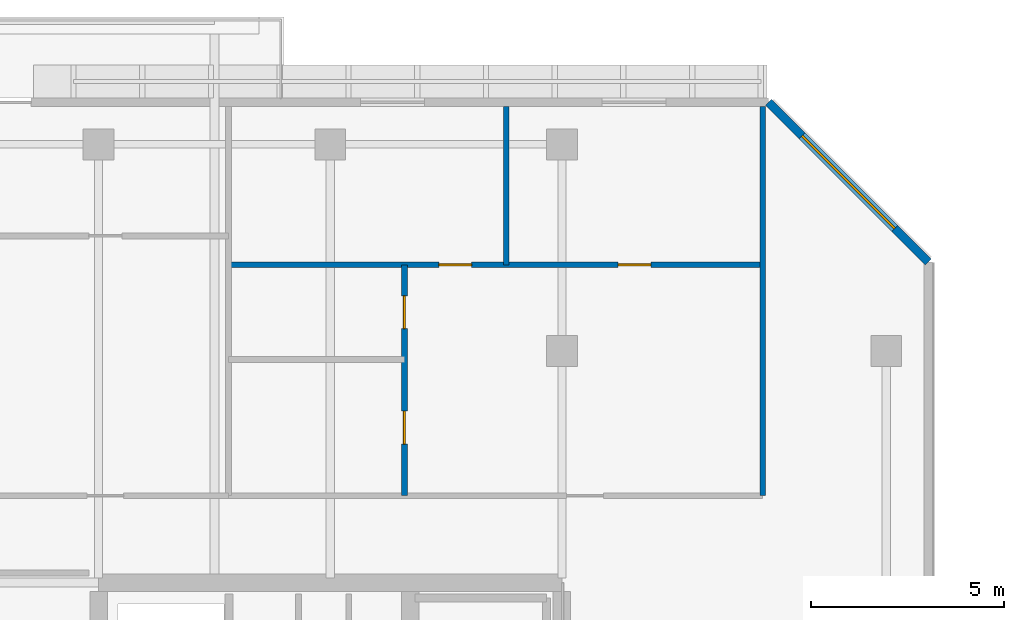
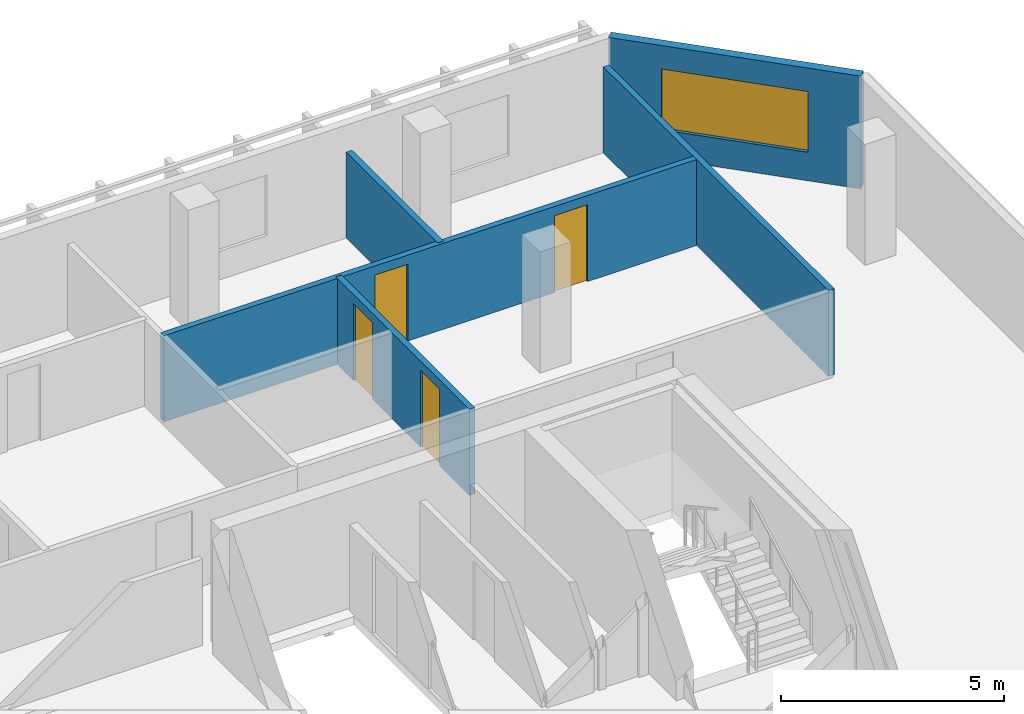
# One storey, part 15 of 22: 5 walls, 4 doors, 1 window, 5 openings.
"""IFC4 building model written with IfcOpenShell, lengths in metres."""

from ifc_helpers import new_model, si_unit, direction, frame, frame_2d, origin, place, context, subcontext, project, spatial, rectangle, extrude, material, layer, layer_set, type_object, element, fill, save


model = new_model("IFC4")

# Units and contexts
model_context = context("Model", 3, precision=1e-05, world=origin(), true_north=direction((0.0, 1.0)))
body_context = subcontext(model_context, "Body", "Model", "MODEL_VIEW")
ifc_project = project(units=[si_unit("LENGTHUNIT", "METRE"), si_unit("AREAUNIT", "SQUARE_METRE"), si_unit("VOLUMEUNIT", "CUBIC_METRE"), si_unit("PLANEANGLEUNIT", "RADIAN"), si_unit("MASSUNIT", "GRAM", prefix="KILO")], contexts=[model_context])

# Site, building, storey
site_placement = place(None, origin())
site = spatial("IfcSite", under=ifc_project, at=site_placement, CompositionType="ELEMENT")
building_placement = place(site_placement, origin())
building = spatial("IfcBuilding", under=site, at=building_placement, Name="Tanjung Sevakor Pilgrim Tower", CompositionType="ELEMENT")
storey_placement = place(building_placement, frame((0.0, 0.0, 195.030029296875)))
storey = spatial("IfcBuildingStorey", under=building, at=storey_placement, Name="L54", CompositionType="ELEMENT", Elevation=195.030029296875)

# Wall
ifc_material_1 = material(Name="Concrete C40/50", Category="concrete")
ifc_layer_1 = layer(ifc_material_1, 0.14990234375)
ifc_layer_set_1 = layer_set([ifc_layer_1], Name="WT-COMP-150")
wall_type_1 = type_object("IfcWallType", Name="WT-COMP-150", PredefinedType="SOLIDWALL", material=ifc_layer_set_1)
wall_1_placement = place(storey_placement, frame((95.199951171875, 44.85009765625, 0.0), z_axis=(0.0, 0.0, 1.0), x_axis=(0.0, 1.0, 0.0)))
element("IfcWall", 1, at=wall_1_placement, inside=storey, type_object=wall_type_1, Name="L54 Partition IW-L54-081", PredefinedType="SOLIDWALL", context=body_context, shape_type="SweptSolid", body=[
    extrude(rectangle(XDim=10.079833984375, YDim=0.14990234375, at=frame_2d((5.0400390625, 0.0))), origin(), (0.0, 0.0, 1.0), 2.35009765625),
])

# Wall, opening, window
ifc_material_2 = material(Name="Precast concrete C45/55", Category="concrete")
ifc_layer_2 = layer(ifc_material_2, 0.219970703125)
ifc_layer_set_2 = layer_set([ifc_layer_2], Name="WT-EW-STN4")
wall_type_2 = type_object("IfcWallType", Name="WT-EW-STN4", PredefinedType="SOLIDWALL", material=ifc_layer_set_2)
wall_2_placement = place(storey_placement, frame((99.489990234375, 50.904296875, 0.0), z_axis=(0.0, 0.0, 1.0), x_axis=(-0.707085909342, 0.707127652415, 0.0)))
wall_2 = element("IfcWall", 2, at=wall_2_placement, inside=storey, type_object=wall_type_2, Name="L54 MAIN Sculpted Corner Wall 7", PredefinedType="SOLIDWALL", context=body_context, shape_type="SweptSolid", body=[
    extrude(rectangle(XDim=5.8486328125, YDim=0.219970703125, at=frame_2d((2.92431640625, 0.0))), origin(), (0.0, 0.0, 1.0), 3.080078125),
])
opening_1_placement = place(wall_2_placement, frame((1.224365234375, 0.0, 0.780029296875)))
opening_1 = element("IfcOpeningElement", 3, at=opening_1_placement, cuts=wall_2, Name="Opening WN-CHM-1660", PredefinedType="OPENING", context=body_context, shape_type="SweptSolid", body=[
    extrude(rectangle(XDim=3.39990234375, YDim=1.659912109375, at=frame_2d((1.699951171875, 0.830078125))), frame((0.0, 0.119873046875, 0.0), z_axis=(0.0, -1.0, 0.0), x_axis=(1.0, 0.0, 0.0)), (0.0, 0.0, 1.0), 0.239990234375),
])
ifc_material_3 = material(Name="Thermally Broken Aluminium and Low-E Glass", Category="aluminium")
window_type = type_object("IfcWindowType", Name="WTYP-WN-CHM-1660", PartitioningType="DOUBLE_PANEL_VERTICAL", PredefinedType="WINDOW", material=ifc_material_3)
window_placement = place(opening_1_placement, origin())
window = element("IfcWindow", 4, at=window_placement, inside=storey, type_object=window_type, Name="L54 Facade Window 01", OverallHeight=1.659912109375, OverallWidth=3.39990234375, PartitioningType="SINGLE_PANEL", PredefinedType="WINDOW", context=body_context, shape_type="SweptSolid", body=[
    extrude(rectangle(XDim=3.39990234375, YDim=1.659912109375, at=frame_2d((1.699951171875, 0.830078125))), frame((0.0, 0.030029296875, 0.0), z_axis=(0.0, -1.0, 0.0), x_axis=(1.0, 0.0, 0.0)), (0.0, 0.0, 1.0), 0.06005859375),
])
fill(opening_1, window)

# Wall, openings, doors
ifc_material_4 = material(Name="Gypsum Board Partition", Category="gypsum board")
ifc_layer_3 = layer(ifc_material_4, 0.14990234375)
ifc_layer_set_3 = layer_set([ifc_layer_3], Name="WT-PART-150")
wall_type_3 = type_object("IfcWallType", Name="WT-PART-150", PredefinedType="PARTITIONING", material=ifc_layer_set_3)
wall_3_placement = place(storey_placement, frame((85.919921875, 44.85009765625, 0.0), z_axis=(0.0, 0.0, 1.0), x_axis=(0.0, 1.0, 0.0)))
wall_3 = element("IfcWall", 5, at=wall_3_placement, inside=storey, type_object=wall_type_3, Name="L54 Partition IW-L54-094", PredefinedType="PARTITIONING", context=body_context, shape_type="SweptSolid", body=[
    extrude(rectangle(XDim=5.979736328125, YDim=0.14990234375, at=frame_2d((2.98974609375, 0.0))), origin(), (0.0, 0.0, 1.0), 2.35009765625),
])
opening_2_placement = place(wall_3_placement, frame((1.339111328125, 0.0, 0.0)))
opening_2 = element("IfcOpeningElement", 6, at=opening_2_placement, cuts=wall_3, Name="Opening ID-WC1", PredefinedType="OPENING", context=body_context, shape_type="SweptSolid", body=[
    extrude(rectangle(XDim=0.85009765625, YDim=2.10009765625, at=frame_2d((0.425048828125, 1.050048828125))), frame((0.0, 0.0849609375, 0.0), z_axis=(0.0, -1.0, 0.0), x_axis=(1.0, 0.0, 0.0)), (0.0, 0.0, 1.0), 0.169921875),
])
opening_3_placement = place(wall_3_placement, frame((4.328857421875, 0.0, 0.0)))
opening_3 = element("IfcOpeningElement", 7, at=opening_3_placement, cuts=wall_3, Name="Opening ID-WC1", PredefinedType="OPENING", context=body_context, shape_type="SweptSolid", body=[
    extrude(rectangle(XDim=0.85009765625, YDim=2.10009765625, at=frame_2d((0.425048828125, 1.050048828125))), frame((0.0, 0.0849609375, 0.0), z_axis=(0.0, -1.0, 0.0), x_axis=(1.0, 0.0, 0.0)), (0.0, 0.0, 1.0), 0.169921875),
])
ifc_material_5 = material(Name="Moisture-Resistant Timber", Category="wood")
door_type = type_object("IfcDoorType", Name="DT-INT-850", OperationType="NOTDEFINED", PredefinedType="DOOR", material=ifc_material_5)
door_1_placement = place(opening_2_placement, origin())
door_1 = element("IfcDoor", 8, at=door_1_placement, inside=storey, type_object=door_type, Name="Suite Kitchenette Door", OperationType="SINGLE_SWING_LEFT", OverallHeight=2.10009765625, OverallWidth=0.85009765625, PredefinedType="DOOR", context=body_context, shape_type="SweptSolid", body=[
    extrude(rectangle(XDim=0.85009765625, YDim=2.10009765625, at=frame_2d((0.425048828125, 1.050048828125))), frame((0.0, 0.02490234375, 0.0), z_axis=(0.0, -1.0, 0.0), x_axis=(1.0, 0.0, 0.0)), (0.0, 0.0, 1.0), 0.050048828125),
])
fill(opening_2, door_1)
door_2_placement = place(opening_3_placement, origin())
door_2 = element("IfcDoor", 9, at=door_2_placement, inside=storey, type_object=door_type, Name="Suite Bathroom Door", OperationType="SINGLE_SWING_RIGHT", OverallHeight=2.10009765625, OverallWidth=0.85009765625, PredefinedType="DOOR", context=body_context, shape_type="SweptSolid", body=[
    extrude(rectangle(XDim=0.85009765625, YDim=2.10009765625, at=frame_2d((0.425048828125, 1.050048828125))), frame((0.0, 0.02490234375, 0.0), z_axis=(0.0, -1.0, 0.0), x_axis=(1.0, 0.0, 0.0)), (0.0, 0.0, 1.0), 0.050048828125),
])
fill(opening_3, door_2)

# Wall
wall_4_placement = place(storey_placement, frame((88.558837890625, 50.829833984375, 0.0), z_axis=(0.0, 0.0, 1.0), x_axis=(0.0, 1.0, 0.0)))
element("IfcWall", 10, at=wall_4_placement, inside=storey, type_object=wall_type_3, Name="L54 Partition IW-L54-095", PredefinedType="PARTITIONING", context=body_context, shape_type="SweptSolid", body=[
    extrude(rectangle(XDim=4.10009765625, YDim=0.14990234375, at=frame_2d((2.050048828125, 0.0))), origin(), (0.0, 0.0, 1.0), 2.35009765625),
])

# Wall, openings, doors
wall_5_placement = place(storey_placement, frame((81.364013671875, 50.829833984375, 0.0), z_axis=(0.0, 0.0, 1.0), x_axis=(1.0, 0.0, 0.0)))
wall_5 = element("IfcWall", 11, at=wall_5_placement, inside=storey, type_object=wall_type_3, Name="L54 Partition IW-L54-096", PredefinedType="PARTITIONING", context=body_context, shape_type="SweptSolid", body=[
    extrude(rectangle(XDim=13.8359375, YDim=0.14990234375, at=frame_2d((6.91796875, 0.0))), origin(), (0.0, 0.0, 1.0), 2.35009765625),
])
opening_4_placement = place(wall_5_placement, frame((5.4501953125, 0.0, 0.0)))
opening_4 = element("IfcOpeningElement", 12, at=opening_4_placement, cuts=wall_5, Name="Opening ID-WC1", PredefinedType="OPENING", context=body_context, shape_type="SweptSolid", body=[
    extrude(rectangle(XDim=0.85009765625, YDim=2.10009765625, at=frame_2d((0.425048828125, 1.050048828125))), frame((0.0, 0.0849609375, 0.0), z_axis=(0.0, -1.0, 0.0), x_axis=(1.0, 0.0, 0.0)), (0.0, 0.0, 1.0), 0.169921875),
])
opening_5_placement = place(wall_5_placement, frame((10.09033203125, 0.0, 0.0)))
opening_5 = element("IfcOpeningElement", 13, at=opening_5_placement, cuts=wall_5, Name="Opening ID-WC1", PredefinedType="OPENING", context=body_context, shape_type="SweptSolid", body=[
    extrude(rectangle(XDim=0.85009765625, YDim=2.10009765625, at=frame_2d((0.425048828125, 1.050048828125))), frame((0.0, 0.0849609375, 0.0), z_axis=(0.0, -1.0, 0.0), x_axis=(1.0, 0.0, 0.0)), (0.0, 0.0, 1.0), 0.169921875),
])
door_3_placement = place(opening_4_placement, origin())
door_3 = element("IfcDoor", 14, at=door_3_placement, inside=storey, type_object=door_type, Name="Suite Bedroom 1 Door", OperationType="SINGLE_SWING_LEFT", OverallHeight=2.10009765625, OverallWidth=0.85009765625, PredefinedType="DOOR", context=body_context, shape_type="SweptSolid", body=[
    extrude(rectangle(XDim=0.85009765625, YDim=2.10009765625, at=frame_2d((0.425048828125, 1.050048828125))), frame((0.0, 0.02490234375, 0.0), z_axis=(0.0, -1.0, 0.0), x_axis=(1.0, 0.0, 0.0)), (0.0, 0.0, 1.0), 0.050048828125),
])
fill(opening_4, door_3)
door_4_placement = place(opening_5_placement, origin())
door_4 = element("IfcDoor", 15, at=door_4_placement, inside=storey, type_object=door_type, Name="Suite Bedroom 2 Door", OperationType="SINGLE_SWING_RIGHT", OverallHeight=2.10009765625, OverallWidth=0.85009765625, PredefinedType="DOOR", context=body_context, shape_type="SweptSolid", body=[
    extrude(rectangle(XDim=0.85009765625, YDim=2.10009765625, at=frame_2d((0.425048828125, 1.050048828125))), frame((0.0, 0.02490234375, 0.0), z_axis=(0.0, -1.0, 0.0), x_axis=(1.0, 0.0, 0.0)), (0.0, 0.0, 1.0), 0.050048828125),
])
fill(opening_5, door_4)

save(model, "model.ifc")
